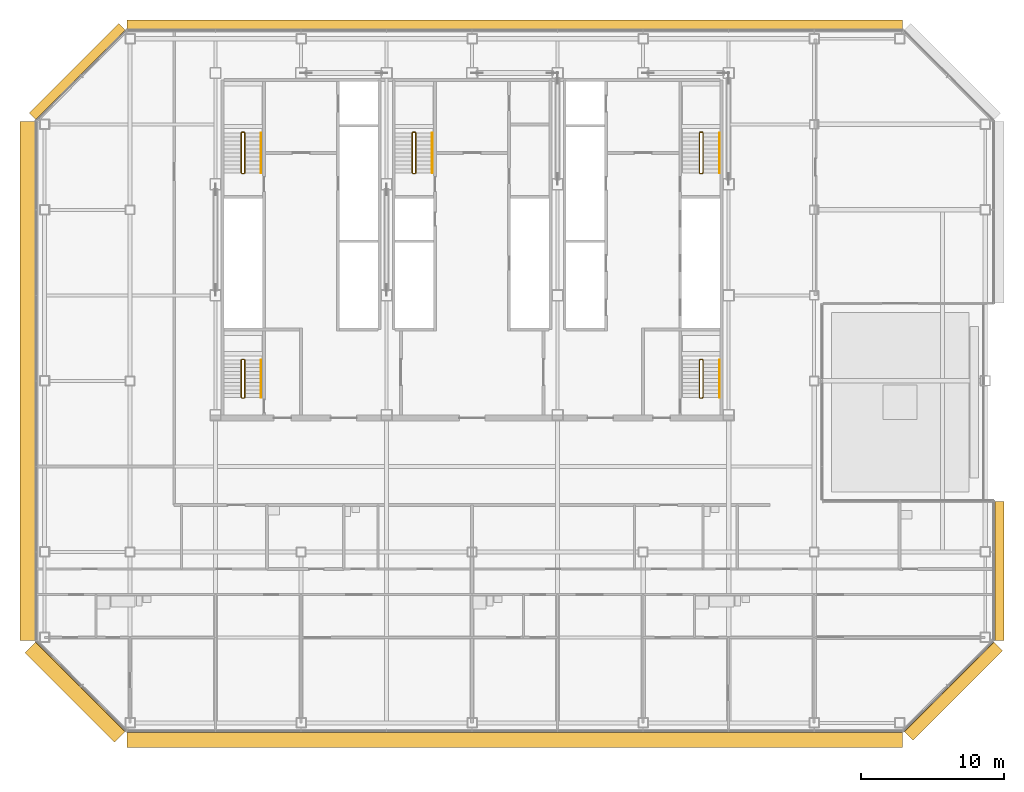
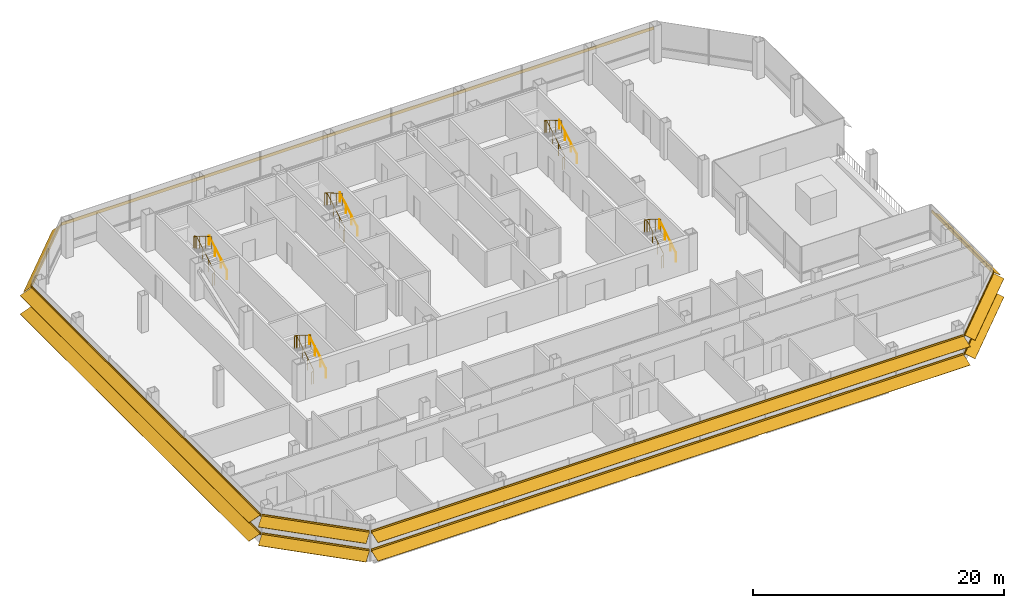
# One storey, part 24 of 27: 10 railings, 7 shading devices.
"""IFC4 building model written with IfcOpenShell, lengths in metres."""

from ifc_helpers import new_model, si_unit, direction, frame, origin, origin_2d, place, context, subcontext, project, spatial, polyline, circle, outline, composite_profile, extrude, material, type_object, element, save


model = new_model("IFC4")

# Units and contexts
model_context = context("Model", 3, precision=1e-05, world=origin(), true_north=direction((0.0, 1.0)))
body_context = subcontext(model_context, "Body", "Model", "MODEL_VIEW")
ifc_project = project(units=[si_unit("LENGTHUNIT", "METRE"), si_unit("AREAUNIT", "SQUARE_METRE"), si_unit("VOLUMEUNIT", "CUBIC_METRE"), si_unit("PLANEANGLEUNIT", "RADIAN"), si_unit("MASSUNIT", "GRAM", prefix="KILO")], contexts=[model_context])

# Site, building, storey
site_placement = place(None, origin())
site = spatial("IfcSite", under=ifc_project, at=site_placement, CompositionType="ELEMENT")
building_placement = place(site_placement, origin())
building = spatial("IfcBuilding", under=site, at=building_placement, Name="Sorahane Residences", CompositionType="ELEMENT")
storey_placement = place(building_placement, frame((0.0, 0.0, 167.199951171875)))
storey = spatial("IfcBuildingStorey", under=building, at=storey_placement, Name="L38", CompositionType="ELEMENT", Elevation=167.199951171875)

# Shading devices
ifc_material_1 = material(Name="Terracotta anodised aluminium", Category="masonry")
shading_device_type_1 = type_object("IfcShadingDeviceType", Name="Louvre sunshade blade E terracotta aluminium 700", PredefinedType="JALOUSIE", material=ifc_material_1)
shading_device_1_placement = place(storey_placement, frame((60.60009765625, 5.801513671875, 2.699951171875), z_axis=(0.0, 1.0, 0.0), x_axis=(-1.0, 0.0, 0.0)))
element("IfcShadingDevice", 1, at=shading_device_1_placement, inside=storey, type_object=shading_device_type_1, Name="Louvre sunshade blade bank E L38 E1", PredefinedType="JALOUSIE", context=body_context, shape_type="SweptSolid", body=[
    extrude(outline(polyline([(-0.719970703125, -0.49365234375), (-0.719970703125, -0.523681640625), (-0.080078125, -0.05859375), (-0.080078125, -0.14990234375), (-0.02001953125, -0.14990234375), (-0.02001953125, -0.014892578125), (-0.02001953125, 0.014892578125), (-0.02001953125, 0.14990234375), (-0.080078125, 0.14990234375), (-0.080078125, -0.028564453125), (-0.719970703125, -0.49365234375)])), origin(), (0.0, 0.0, 1.0), 9.74853515625),
])
ifc_material_2 = material(Name="Terracotta anodised aluminium", Category="masonry")
shading_device_type_2 = type_object("IfcShadingDeviceType", Name="Louvre sunshade blade N terracotta aluminium 700", PredefinedType="JALOUSIE", material=ifc_material_2)
shading_device_2_placement = place(storey_placement, frame((54.198486328125, 48.60009765625, 2.699951171875), z_axis=(-1.0, 0.0, 0.0), x_axis=(0.0, -1.0, 0.0)))
element("IfcShadingDevice", 2, at=shading_device_2_placement, inside=storey, type_object=shading_device_type_2, Name="Louvre sunshade blade bank N L38 N2", PredefinedType="JALOUSIE", context=body_context, shape_type="SweptSolid", body=[
    extrude(outline(polyline([(-0.719970703125, -0.660888671875), (-0.719970703125, -0.69091796875), (-0.080078125, -0.072998046875), (-0.080078125, -0.14990234375), (-0.02001953125, -0.14990234375), (-0.02001953125, -0.014892578125), (-0.02001953125, 0.014892578125), (-0.02001953125, 0.14990234375), (-0.080078125, 0.14990234375), (-0.080078125, -0.04296875), (-0.719970703125, -0.660888671875)])), origin(), (0.0, 0.0, 1.0), 54.39697265625),
])
ifc_material_3 = material(Name="Terracotta anodised aluminium", Category="masonry")
shading_device_type_3 = type_object("IfcShadingDeviceType", Name="Louvre sunshade blade NW terracotta aluminium 700", PredefinedType="JALOUSIE", material=ifc_material_3)
shading_device_3_placement = place(storey_placement, frame((-0.283935546875, 48.564697265625, 2.699951171875), z_axis=(-0.707106781187, -0.707106781187, 0.0), x_axis=(0.707106781187, -0.707106781187, 0.0)))
element("IfcShadingDevice", 3, at=shading_device_3_placement, inside=storey, type_object=shading_device_type_3, Name="Louvre sunshade blade bank NW L38 NW1", PredefinedType="JALOUSIE", context=body_context, shape_type="SweptSolid", body=[
    extrude(outline(polyline([(-0.719970703125, -0.660888671875), (-0.719970703125, -0.69091796875), (-0.080078125, -0.072998046875), (-0.080078125, -0.14990234375), (-0.02001953125, -0.14990234375), (-0.02001953125, -0.014892578125), (-0.02001953125, 0.014892578125), (-0.02001953125, 0.14990234375), (-0.080078125, 0.14990234375), (-0.080078125, -0.04296875), (-0.719970703125, -0.660888671875)])), origin(), (0.0, 0.0, 1.0), 8.88232421875),
])
ifc_material_4 = material(Name="Terracotta anodised aluminium", Category="masonry")
shading_device_type_4 = type_object("IfcShadingDeviceType", Name="Louvre sunshade blade S terracotta aluminium 1100", PredefinedType="JALOUSIE", material=ifc_material_4)
shading_device_4_placement = place(storey_placement, frame((-0.198486328125, -0.60009765625, 0.900146484375), z_axis=(1.0, 0.0, 0.0), x_axis=(0.0, 1.0, 0.0)))
element("IfcShadingDevice", 4, at=shading_device_4_placement, inside=storey, type_object=shading_device_type_4, Name="Louvre sunshade blade bank S L38 S2", PredefinedType="JALOUSIE", context=body_context, shape_type="SweptSolid", body=[
    extrude(composite_profile([outline(polyline([(-1.1201171875, -0.385498046875), (-1.1201171875, -0.415283203125), (-0.080078125, -0.036865234375), (-0.080078125, -0.14990234375), (-0.02001953125, -0.14990234375), (-0.02001953125, -0.014892578125), (-0.02001953125, 0.014892578125), (-0.02001953125, 0.14990234375), (-0.080078125, 0.14990234375), (-0.080078125, -0.0068359375), (-1.1201171875, -0.385498046875)])), outline(polyline([(-1.1201171875, 1.41455078125), (-1.1201171875, 1.384521484375), (-0.080078125, 1.76318359375), (-0.080078125, 1.64990234375), (-0.02001953125, 1.64990234375), (-0.02001953125, 1.784912109375), (-0.02001953125, 1.81494140625), (-0.02001953125, 1.949951171875), (-0.080078125, 1.949951171875), (-0.080078125, 1.793212890625), (-1.1201171875, 1.41455078125)]))]), origin(), (0.0, 0.0, 1.0), 54.39697265625),
])
ifc_material_5 = material(Name="Terracotta anodised aluminium", Category="masonry")
shading_device_type_5 = type_object("IfcShadingDeviceType", Name="Louvre sunshade blade SE terracotta aluminium 900", PredefinedType="JALOUSIE", material=ifc_material_5)
shading_device_5_placement = place(storey_placement, frame((54.283935546875, -0.564697265625, 0.900146484375), z_axis=(0.707106781187, 0.707106781187, 0.0), x_axis=(-0.707106781187, 0.707106781187, 0.0)))
element("IfcShadingDevice", 5, at=shading_device_5_placement, inside=storey, type_object=shading_device_type_5, Name="Louvre sunshade blade bank SE L38 SE1", PredefinedType="JALOUSIE", context=body_context, shape_type="SweptSolid", body=[
    extrude(composite_profile([outline(polyline([(-0.919921875, -0.3486328125), (-0.919921875, -0.378662109375), (-0.080078125, -0.039306640625), (-0.080078125, -0.14990234375), (-0.02001953125, -0.14990234375), (-0.02001953125, -0.014892578125), (-0.02001953125, 0.014892578125), (-0.02001953125, 0.14990234375), (-0.080078125, 0.14990234375), (-0.080078125, -0.00927734375), (-0.919921875, -0.3486328125)])), outline(polyline([(-0.919921875, 1.451416015625), (-0.919921875, 1.42138671875), (-0.080078125, 1.7607421875), (-0.080078125, 1.64990234375), (-0.02001953125, 1.64990234375), (-0.02001953125, 1.784912109375), (-0.02001953125, 1.81494140625), (-0.02001953125, 1.949951171875), (-0.080078125, 1.949951171875), (-0.080078125, 1.790771484375), (-0.919921875, 1.451416015625)]))]), origin(), (0.0, 0.0, 1.0), 8.88232421875),
])
ifc_material_6 = material(Name="Terracotta anodised aluminium", Category="masonry")
shading_device_type_6 = type_object("IfcShadingDeviceType", Name="Louvre sunshade blade SW terracotta aluminium 1100", PredefinedType="JALOUSIE", material=ifc_material_6)
shading_device_6_placement = place(storey_placement, frame((-6.564697265625, 5.716064453125, 0.900146484375), z_axis=(0.707106781187, -0.707106781187, 0.0), x_axis=(0.707106781187, 0.707106781187, 0.0)))
element("IfcShadingDevice", 6, at=shading_device_6_placement, inside=storey, type_object=shading_device_type_6, Name="Louvre sunshade blade bank SW L38 SW1", PredefinedType="JALOUSIE", context=body_context, shape_type="SweptSolid", body=[
    extrude(composite_profile([outline(polyline([(-1.1201171875, -0.385498046875), (-1.1201171875, -0.415283203125), (-0.080078125, -0.036865234375), (-0.080078125, -0.14990234375), (-0.02001953125, -0.14990234375), (-0.02001953125, -0.014892578125), (-0.02001953125, 0.014892578125), (-0.02001953125, 0.14990234375), (-0.080078125, 0.14990234375), (-0.080078125, -0.0068359375), (-1.1201171875, -0.385498046875)])), outline(polyline([(-1.1201171875, 1.41455078125), (-1.1201171875, 1.384521484375), (-0.080078125, 1.76318359375), (-0.080078125, 1.64990234375), (-0.02001953125, 1.64990234375), (-0.02001953125, 1.784912109375), (-0.02001953125, 1.81494140625), (-0.02001953125, 1.949951171875), (-0.080078125, 1.949951171875), (-0.080078125, 1.793212890625), (-1.1201171875, 1.41455078125)]))]), origin(), (0.0, 0.0, 1.0), 8.88232421875),
])
ifc_material_7 = material(Name="Terracotta anodised aluminium", Category="masonry")
shading_device_type_7 = type_object("IfcShadingDeviceType", Name="Louvre sunshade blade W terracotta aluminium 1100", PredefinedType="JALOUSIE", material=ifc_material_7)
shading_device_7_placement = place(storey_placement, frame((-6.60009765625, 42.198486328125, 0.900146484375), z_axis=(0.0, -1.0, 0.0), x_axis=(1.0, 0.0, 0.0)))
element("IfcShadingDevice", 7, at=shading_device_7_placement, inside=storey, type_object=shading_device_type_7, Name="Louvre sunshade blade bank W L38 W1", PredefinedType="JALOUSIE", context=body_context, shape_type="SweptSolid", body=[
    extrude(composite_profile([outline(polyline([(-1.1201171875, -0.385498046875), (-1.1201171875, -0.415283203125), (-0.080078125, -0.036865234375), (-0.080078125, -0.14990234375), (-0.02001953125, -0.14990234375), (-0.02001953125, -0.014892578125), (-0.02001953125, 0.014892578125), (-0.02001953125, 0.14990234375), (-0.080078125, 0.14990234375), (-0.080078125, -0.0068359375), (-1.1201171875, -0.385498046875)])), outline(polyline([(-1.1201171875, 1.41455078125), (-1.1201171875, 1.384521484375), (-0.080078125, 1.76318359375), (-0.080078125, 1.64990234375), (-0.02001953125, 1.64990234375), (-0.02001953125, 1.784912109375), (-0.02001953125, 1.81494140625), (-0.02001953125, 1.949951171875), (-0.080078125, 1.949951171875), (-0.080078125, 1.793212890625), (-1.1201171875, 1.41455078125)]))]), origin(), (0.0, 0.0, 1.0), 36.39697265625),
])

# Railings
ifc_material_8 = material(Name="Steel Q355B", Category="steel")
railing_type_1 = type_object("IfcRailingType", Name="Stair guard 1200 Steel Q355B", PredefinedType="GUARDRAIL", material=ifc_material_8)
railing_1_placement = place(storey_placement, frame((7.85009765625, 38.550048828125, 0.0)))
element("IfcRailing", 8, at=railing_1_placement, inside=storey, type_object=railing_type_1, Name="L38 S1 stair guard 1", PredefinedType="GUARDRAIL", context=body_context, shape_type="SweptSolid", body=[
    extrude(circle(Radius=0.02392578125, at=origin_2d()), frame((0.0, 0.0, 1.17578125), z_axis=(1.0, 0.0, 0.0), x_axis=(0.0, 1.0, 0.0)), (0.0, 0.0, 1.0), 0.14990234375),
    extrude(circle(Radius=0.02392578125, at=origin_2d()), frame((0.14990234375, 0.0, 1.17578125), z_axis=(0.280808744504, 0.280808744504, 0.917765164963), x_axis=(-0.707106781187, 0.707106781187, 0.0)), (0.0, 0.0, 1.0), 0.17822265625),
    extrude(circle(Radius=0.02392578125, at=origin_2d()), frame((0.199951171875, 0.050048828125, 1.33935546875), z_axis=(0.0, 0.863341702679, 0.504619762213), x_axis=(-1.0, 0.0, 0.0)), (0.0, 0.0, 1.0), 3.242919921875),
    extrude(circle(Radius=0.02392578125, at=origin_2d()), frame((0.199951171875, 2.849853515625, 2.97607421875), z_axis=(-0.707106781187, 0.707106781187, 0.0), x_axis=(-0.707106781187, -0.707106781187, 0.0)), (0.0, 0.0, 1.0), 0.07080078125),
    extrude(circle(Radius=0.02392578125, at=origin_2d()), frame((0.14990234375, 2.89990234375, 2.97607421875), z_axis=(-1.0, 0.0, 0.0), x_axis=(0.0, -1.0, 0.0)), (0.0, 0.0, 1.0), 0.14990234375),
    extrude(circle(Radius=0.02392578125, at=origin_2d()), frame((0.0, 2.89990234375, 2.97607421875), z_axis=(-0.280808744504, -0.280808744504, 0.917765164963), x_axis=(0.707106781187, -0.707106781187, 0.0)), (0.0, 0.0, 1.0), 0.17822265625),
    extrude(circle(Radius=0.02392578125, at=origin_2d()), frame((-0.050048828125, 2.849853515625, 3.1396484375), z_axis=(0.0, -0.863341702679, 0.504619762213), x_axis=(1.0, 0.0, 0.0)), (0.0, 0.0, 1.0), 3.242919921875),
    extrude(circle(Radius=0.02099609375, at=origin_2d()), origin(), (0.0, 0.0, 1.0), 1.15185546875),
    extrude(circle(Radius=0.02099609375, at=origin_2d()), frame((0.14990234375, 0.0, 0.0)), (0.0, 0.0, 1.0), 1.15185546875),
    extrude(circle(Radius=0.02099609375, at=origin_2d()), frame((0.199951171875, 0.050048828125, 0.16357421875)), (0.0, 0.0, 1.0), 1.15185546875),
    extrude(circle(Radius=0.02099609375, at=origin_2d()), frame((0.199951171875, 0.9833984375, 0.708984375)), (0.0, 0.0, 1.0), 1.15185546875),
    extrude(circle(Radius=0.02099609375, at=origin_2d()), frame((0.199951171875, 1.91650390625, 1.254638671875)), (0.0, 0.0, 1.0), 1.15185546875),
    extrude(circle(Radius=0.02099609375, at=origin_2d()), frame((0.199951171875, 2.849853515625, 1.800048828125)), (0.0, 0.0, 1.0), 1.15185546875),
    extrude(circle(Radius=0.02099609375, at=origin_2d()), frame((0.14990234375, 2.89990234375, 1.800048828125)), (0.0, 0.0, 1.0), 1.15185546875),
    extrude(circle(Radius=0.02099609375, at=origin_2d()), frame((0.0, 2.89990234375, 1.800048828125)), (0.0, 0.0, 1.0), 1.15185546875),
    extrude(circle(Radius=0.02099609375, at=origin_2d()), frame((-0.050048828125, 2.849853515625, 1.963623046875)), (0.0, 0.0, 1.0), 1.15185546875),
    extrude(circle(Radius=0.02099609375, at=origin_2d()), frame((-0.050048828125, 1.91650390625, 2.509033203125)), (0.0, 0.0, 1.0), 1.15185546875),
    extrude(circle(Radius=0.02099609375, at=origin_2d()), frame((-0.050048828125, 0.9833984375, 3.0546875)), (0.0, 0.0, 1.0), 1.15185546875),
    extrude(circle(Radius=0.02099609375, at=origin_2d()), frame((-0.050048828125, 0.050048828125, 3.60009765625)), (0.0, 0.0, 1.0), 1.15185546875),
])
railing_2_placement = place(storey_placement, frame((40.0, 38.550048828125, 0.0)))
element("IfcRailing", 9, at=railing_2_placement, inside=storey, type_object=railing_type_1, Name="L38 S2 stair guard 1", PredefinedType="GUARDRAIL", context=body_context, shape_type="SweptSolid", body=[
    extrude(circle(Radius=0.02392578125, at=origin_2d()), frame((0.0, 0.0, 1.17578125), z_axis=(1.0, 0.0, 0.0), x_axis=(0.0, 1.0, 0.0)), (0.0, 0.0, 1.0), 0.14990234375),
    extrude(circle(Radius=0.02392578125, at=origin_2d()), frame((0.14990234375, 0.0, 1.17578125), z_axis=(0.280808744504, 0.280808744504, 0.917765164963), x_axis=(-0.707106781187, 0.707106781187, 0.0)), (0.0, 0.0, 1.0), 0.17822265625),
    extrude(circle(Radius=0.02392578125, at=origin_2d()), frame((0.199951171875, 0.050048828125, 1.33935546875), z_axis=(0.0, 0.863341702679, 0.504619762213), x_axis=(-1.0, 0.0, 0.0)), (0.0, 0.0, 1.0), 3.242919921875),
    extrude(circle(Radius=0.02392578125, at=origin_2d()), frame((0.199951171875, 2.849853515625, 2.97607421875), z_axis=(-0.707106781187, 0.707106781187, 0.0), x_axis=(-0.707106781187, -0.707106781187, 0.0)), (0.0, 0.0, 1.0), 0.07080078125),
    extrude(circle(Radius=0.02392578125, at=origin_2d()), frame((0.14990234375, 2.89990234375, 2.97607421875), z_axis=(-1.0, 0.0, 0.0), x_axis=(0.0, -1.0, 0.0)), (0.0, 0.0, 1.0), 0.14990234375),
    extrude(circle(Radius=0.02392578125, at=origin_2d()), frame((0.0, 2.89990234375, 2.97607421875), z_axis=(-0.280808744504, -0.280808744504, 0.917765164963), x_axis=(0.707106781187, -0.707106781187, 0.0)), (0.0, 0.0, 1.0), 0.17822265625),
    extrude(circle(Radius=0.02392578125, at=origin_2d()), frame((-0.050048828125, 2.849853515625, 3.1396484375), z_axis=(0.0, -0.863341702679, 0.504619762213), x_axis=(1.0, 0.0, 0.0)), (0.0, 0.0, 1.0), 3.242919921875),
    extrude(circle(Radius=0.02099609375, at=origin_2d()), origin(), (0.0, 0.0, 1.0), 1.15185546875),
    extrude(circle(Radius=0.02099609375, at=origin_2d()), frame((0.14990234375, 0.0, 0.0)), (0.0, 0.0, 1.0), 1.15185546875),
    extrude(circle(Radius=0.02099609375, at=origin_2d()), frame((0.199951171875, 0.050048828125, 0.16357421875)), (0.0, 0.0, 1.0), 1.15185546875),
    extrude(circle(Radius=0.02099609375, at=origin_2d()), frame((0.199951171875, 0.9833984375, 0.708984375)), (0.0, 0.0, 1.0), 1.15185546875),
    extrude(circle(Radius=0.02099609375, at=origin_2d()), frame((0.199951171875, 1.91650390625, 1.254638671875)), (0.0, 0.0, 1.0), 1.15185546875),
    extrude(circle(Radius=0.02099609375, at=origin_2d()), frame((0.199951171875, 2.849853515625, 1.800048828125)), (0.0, 0.0, 1.0), 1.15185546875),
    extrude(circle(Radius=0.02099609375, at=origin_2d()), frame((0.14990234375, 2.89990234375, 1.800048828125)), (0.0, 0.0, 1.0), 1.15185546875),
    extrude(circle(Radius=0.02099609375, at=origin_2d()), frame((0.0, 2.89990234375, 1.800048828125)), (0.0, 0.0, 1.0), 1.15185546875),
    extrude(circle(Radius=0.02099609375, at=origin_2d()), frame((-0.050048828125, 2.849853515625, 1.963623046875)), (0.0, 0.0, 1.0), 1.15185546875),
    extrude(circle(Radius=0.02099609375, at=origin_2d()), frame((-0.050048828125, 1.91650390625, 2.509033203125)), (0.0, 0.0, 1.0), 1.15185546875),
    extrude(circle(Radius=0.02099609375, at=origin_2d()), frame((-0.050048828125, 0.9833984375, 3.0546875)), (0.0, 0.0, 1.0), 1.15185546875),
    extrude(circle(Radius=0.02099609375, at=origin_2d()), frame((-0.050048828125, 0.050048828125, 3.60009765625)), (0.0, 0.0, 1.0), 1.15185546875),
])
railing_3_placement = place(storey_placement, frame((19.85009765625, 38.550048828125, 0.0)))
element("IfcRailing", 10, at=railing_3_placement, inside=storey, type_object=railing_type_1, Name="L38 S3 stair guard 1", PredefinedType="GUARDRAIL", context=body_context, shape_type="SweptSolid", body=[
    extrude(circle(Radius=0.02392578125, at=origin_2d()), frame((0.0, 0.0, 1.17578125), z_axis=(1.0, 0.0, 0.0), x_axis=(0.0, 1.0, 0.0)), (0.0, 0.0, 1.0), 0.14990234375),
    extrude(circle(Radius=0.02392578125, at=origin_2d()), frame((0.14990234375, 0.0, 1.17578125), z_axis=(0.280808744504, 0.280808744504, 0.917765164963), x_axis=(-0.707106781187, 0.707106781187, 0.0)), (0.0, 0.0, 1.0), 0.17822265625),
    extrude(circle(Radius=0.02392578125, at=origin_2d()), frame((0.199951171875, 0.050048828125, 1.33935546875), z_axis=(0.0, 0.863341702679, 0.504619762213), x_axis=(-1.0, 0.0, 0.0)), (0.0, 0.0, 1.0), 3.242919921875),
    extrude(circle(Radius=0.02392578125, at=origin_2d()), frame((0.199951171875, 2.849853515625, 2.97607421875), z_axis=(-0.707106781187, 0.707106781187, 0.0), x_axis=(-0.707106781187, -0.707106781187, 0.0)), (0.0, 0.0, 1.0), 0.07080078125),
    extrude(circle(Radius=0.02392578125, at=origin_2d()), frame((0.14990234375, 2.89990234375, 2.97607421875), z_axis=(-1.0, 0.0, 0.0), x_axis=(0.0, -1.0, 0.0)), (0.0, 0.0, 1.0), 0.14990234375),
    extrude(circle(Radius=0.02392578125, at=origin_2d()), frame((0.0, 2.89990234375, 2.97607421875), z_axis=(-0.280808744504, -0.280808744504, 0.917765164963), x_axis=(0.707106781187, -0.707106781187, 0.0)), (0.0, 0.0, 1.0), 0.17822265625),
    extrude(circle(Radius=0.02392578125, at=origin_2d()), frame((-0.050048828125, 2.849853515625, 3.1396484375), z_axis=(0.0, -0.863341702679, 0.504619762213), x_axis=(1.0, 0.0, 0.0)), (0.0, 0.0, 1.0), 3.242919921875),
    extrude(circle(Radius=0.02099609375, at=origin_2d()), origin(), (0.0, 0.0, 1.0), 1.15185546875),
    extrude(circle(Radius=0.02099609375, at=origin_2d()), frame((0.14990234375, 0.0, 0.0)), (0.0, 0.0, 1.0), 1.15185546875),
    extrude(circle(Radius=0.02099609375, at=origin_2d()), frame((0.199951171875, 0.050048828125, 0.16357421875)), (0.0, 0.0, 1.0), 1.15185546875),
    extrude(circle(Radius=0.02099609375, at=origin_2d()), frame((0.199951171875, 0.9833984375, 0.708984375)), (0.0, 0.0, 1.0), 1.15185546875),
    extrude(circle(Radius=0.02099609375, at=origin_2d()), frame((0.199951171875, 1.91650390625, 1.254638671875)), (0.0, 0.0, 1.0), 1.15185546875),
    extrude(circle(Radius=0.02099609375, at=origin_2d()), frame((0.199951171875, 2.849853515625, 1.800048828125)), (0.0, 0.0, 1.0), 1.15185546875),
    extrude(circle(Radius=0.02099609375, at=origin_2d()), frame((0.14990234375, 2.89990234375, 1.800048828125)), (0.0, 0.0, 1.0), 1.15185546875),
    extrude(circle(Radius=0.02099609375, at=origin_2d()), frame((0.0, 2.89990234375, 1.800048828125)), (0.0, 0.0, 1.0), 1.15185546875),
    extrude(circle(Radius=0.02099609375, at=origin_2d()), frame((-0.050048828125, 2.849853515625, 1.963623046875)), (0.0, 0.0, 1.0), 1.15185546875),
    extrude(circle(Radius=0.02099609375, at=origin_2d()), frame((-0.050048828125, 1.91650390625, 2.509033203125)), (0.0, 0.0, 1.0), 1.15185546875),
    extrude(circle(Radius=0.02099609375, at=origin_2d()), frame((-0.050048828125, 0.9833984375, 3.0546875)), (0.0, 0.0, 1.0), 1.15185546875),
    extrude(circle(Radius=0.02099609375, at=origin_2d()), frame((-0.050048828125, 0.050048828125, 3.60009765625)), (0.0, 0.0, 1.0), 1.15185546875),
])
railing_4_placement = place(storey_placement, frame((7.85009765625, 22.800048828125, 0.0)))
element("IfcRailing", 11, at=railing_4_placement, inside=storey, type_object=railing_type_1, Name="L38 S4 stair guard 1", PredefinedType="GUARDRAIL", context=body_context, shape_type="SweptSolid", body=[
    extrude(circle(Radius=0.02392578125, at=origin_2d()), frame((0.0, 0.0, 1.17578125), z_axis=(1.0, 0.0, 0.0), x_axis=(0.0, 1.0, 0.0)), (0.0, 0.0, 1.0), 0.14990234375),
    extrude(circle(Radius=0.02392578125, at=origin_2d()), frame((0.14990234375, 0.0, 1.17578125), z_axis=(0.280808744504, 0.280808744504, 0.917765164963), x_axis=(-0.707106781187, 0.707106781187, 0.0)), (0.0, 0.0, 1.0), 0.17822265625),
    extrude(circle(Radius=0.02392578125, at=origin_2d()), frame((0.199951171875, 0.050048828125, 1.33935546875), z_axis=(0.0, 0.846301844409, 0.532703658848), x_axis=(-1.0, 0.0, 0.0)), (0.0, 0.0, 1.0), 3.072021484375),
    extrude(circle(Radius=0.02392578125, at=origin_2d()), frame((0.199951171875, 2.64990234375, 2.97607421875), z_axis=(-0.707106781187, 0.707106781187, 0.0), x_axis=(-0.707106781187, -0.707106781187, 0.0)), (0.0, 0.0, 1.0), 0.07080078125),
    extrude(circle(Radius=0.02392578125, at=origin_2d()), frame((0.14990234375, 2.699951171875, 2.97607421875), z_axis=(-1.0, 0.0, 0.0), x_axis=(0.0, -1.0, 0.0)), (0.0, 0.0, 1.0), 0.14990234375),
    extrude(circle(Radius=0.02392578125, at=origin_2d()), frame((0.0, 2.699951171875, 2.97607421875), z_axis=(-0.280808744504, -0.280808744504, 0.917765164963), x_axis=(0.707106781187, -0.707106781187, 0.0)), (0.0, 0.0, 1.0), 0.17822265625),
    extrude(circle(Radius=0.02392578125, at=origin_2d()), frame((-0.050048828125, 2.64990234375, 3.1396484375), z_axis=(0.0, -0.846301844409, 0.532703658848), x_axis=(1.0, 0.0, 0.0)), (0.0, 0.0, 1.0), 3.072021484375),
    extrude(circle(Radius=0.02099609375, at=origin_2d()), origin(), (0.0, 0.0, 1.0), 1.15185546875),
    extrude(circle(Radius=0.02099609375, at=origin_2d()), frame((0.14990234375, 0.0, 0.0)), (0.0, 0.0, 1.0), 1.15185546875),
    extrude(circle(Radius=0.02099609375, at=origin_2d()), frame((0.199951171875, 0.050048828125, 0.16357421875)), (0.0, 0.0, 1.0), 1.15185546875),
    extrude(circle(Radius=0.02099609375, at=origin_2d()), frame((0.199951171875, 0.916748046875, 0.708984375)), (0.0, 0.0, 1.0), 1.15185546875),
    extrude(circle(Radius=0.02099609375, at=origin_2d()), frame((0.199951171875, 1.783203125, 1.254638671875)), (0.0, 0.0, 1.0), 1.15185546875),
    extrude(circle(Radius=0.02099609375, at=origin_2d()), frame((0.199951171875, 2.64990234375, 1.800048828125)), (0.0, 0.0, 1.0), 1.15185546875),
    extrude(circle(Radius=0.02099609375, at=origin_2d()), frame((0.14990234375, 2.699951171875, 1.800048828125)), (0.0, 0.0, 1.0), 1.15185546875),
    extrude(circle(Radius=0.02099609375, at=origin_2d()), frame((0.0, 2.699951171875, 1.800048828125)), (0.0, 0.0, 1.0), 1.15185546875),
    extrude(circle(Radius=0.02099609375, at=origin_2d()), frame((-0.050048828125, 2.64990234375, 1.963623046875)), (0.0, 0.0, 1.0), 1.15185546875),
    extrude(circle(Radius=0.02099609375, at=origin_2d()), frame((-0.050048828125, 1.783203125, 2.509033203125)), (0.0, 0.0, 1.0), 1.15185546875),
    extrude(circle(Radius=0.02099609375, at=origin_2d()), frame((-0.050048828125, 0.916748046875, 3.0546875)), (0.0, 0.0, 1.0), 1.15185546875),
    extrude(circle(Radius=0.02099609375, at=origin_2d()), frame((-0.050048828125, 0.050048828125, 3.60009765625)), (0.0, 0.0, 1.0), 1.15185546875),
])
railing_5_placement = place(storey_placement, frame((40.0, 22.800048828125, 0.0)))
element("IfcRailing", 12, at=railing_5_placement, inside=storey, type_object=railing_type_1, Name="L38 S5 stair guard 1", PredefinedType="GUARDRAIL", context=body_context, shape_type="SweptSolid", body=[
    extrude(circle(Radius=0.02392578125, at=origin_2d()), frame((0.0, 0.0, 1.17578125), z_axis=(1.0, 0.0, 0.0), x_axis=(0.0, 1.0, 0.0)), (0.0, 0.0, 1.0), 0.14990234375),
    extrude(circle(Radius=0.02392578125, at=origin_2d()), frame((0.14990234375, 0.0, 1.17578125), z_axis=(0.280808744504, 0.280808744504, 0.917765164963), x_axis=(-0.707106781187, 0.707106781187, 0.0)), (0.0, 0.0, 1.0), 0.17822265625),
    extrude(circle(Radius=0.02392578125, at=origin_2d()), frame((0.199951171875, 0.050048828125, 1.33935546875), z_axis=(0.0, 0.846301844409, 0.532703658848), x_axis=(-1.0, 0.0, 0.0)), (0.0, 0.0, 1.0), 3.072021484375),
    extrude(circle(Radius=0.02392578125, at=origin_2d()), frame((0.199951171875, 2.64990234375, 2.97607421875), z_axis=(-0.707106781187, 0.707106781187, 0.0), x_axis=(-0.707106781187, -0.707106781187, 0.0)), (0.0, 0.0, 1.0), 0.07080078125),
    extrude(circle(Radius=0.02392578125, at=origin_2d()), frame((0.14990234375, 2.699951171875, 2.97607421875), z_axis=(-1.0, 0.0, 0.0), x_axis=(0.0, -1.0, 0.0)), (0.0, 0.0, 1.0), 0.14990234375),
    extrude(circle(Radius=0.02392578125, at=origin_2d()), frame((0.0, 2.699951171875, 2.97607421875), z_axis=(-0.280808744504, -0.280808744504, 0.917765164963), x_axis=(0.707106781187, -0.707106781187, 0.0)), (0.0, 0.0, 1.0), 0.17822265625),
    extrude(circle(Radius=0.02392578125, at=origin_2d()), frame((-0.050048828125, 2.64990234375, 3.1396484375), z_axis=(0.0, -0.846301844409, 0.532703658848), x_axis=(1.0, 0.0, 0.0)), (0.0, 0.0, 1.0), 3.072021484375),
    extrude(circle(Radius=0.02099609375, at=origin_2d()), origin(), (0.0, 0.0, 1.0), 1.15185546875),
    extrude(circle(Radius=0.02099609375, at=origin_2d()), frame((0.14990234375, 0.0, 0.0)), (0.0, 0.0, 1.0), 1.15185546875),
    extrude(circle(Radius=0.02099609375, at=origin_2d()), frame((0.199951171875, 0.050048828125, 0.16357421875)), (0.0, 0.0, 1.0), 1.15185546875),
    extrude(circle(Radius=0.02099609375, at=origin_2d()), frame((0.199951171875, 0.916748046875, 0.708984375)), (0.0, 0.0, 1.0), 1.15185546875),
    extrude(circle(Radius=0.02099609375, at=origin_2d()), frame((0.199951171875, 1.783203125, 1.254638671875)), (0.0, 0.0, 1.0), 1.15185546875),
    extrude(circle(Radius=0.02099609375, at=origin_2d()), frame((0.199951171875, 2.64990234375, 1.800048828125)), (0.0, 0.0, 1.0), 1.15185546875),
    extrude(circle(Radius=0.02099609375, at=origin_2d()), frame((0.14990234375, 2.699951171875, 1.800048828125)), (0.0, 0.0, 1.0), 1.15185546875),
    extrude(circle(Radius=0.02099609375, at=origin_2d()), frame((0.0, 2.699951171875, 1.800048828125)), (0.0, 0.0, 1.0), 1.15185546875),
    extrude(circle(Radius=0.02099609375, at=origin_2d()), frame((-0.050048828125, 2.64990234375, 1.963623046875)), (0.0, 0.0, 1.0), 1.15185546875),
    extrude(circle(Radius=0.02099609375, at=origin_2d()), frame((-0.050048828125, 1.783203125, 2.509033203125)), (0.0, 0.0, 1.0), 1.15185546875),
    extrude(circle(Radius=0.02099609375, at=origin_2d()), frame((-0.050048828125, 0.916748046875, 3.0546875)), (0.0, 0.0, 1.0), 1.15185546875),
    extrude(circle(Radius=0.02099609375, at=origin_2d()), frame((-0.050048828125, 0.050048828125, 3.60009765625)), (0.0, 0.0, 1.0), 1.15185546875),
])
ifc_material_9 = material(Name="Steel Q355B", Category="steel")
railing_type_2 = type_object("IfcRailingType", Name="Stair handrail 900 Steel Q355B", PredefinedType="HANDRAIL", material=ifc_material_9)
for number, where, name in (
    (13, (9.199951171875, 38.60009765625, 0.16357421875), "L38 S1 stair handrail 1"),
    (14, (41.35009765625, 38.60009765625, 0.16357421875), "L38 S2 stair handrail 1"),
    (15, (21.199951171875, 38.60009765625, 0.16357421875), "L38 S3 stair handrail 1"),
):
    element("IfcRailing", number, at=place(storey_placement, frame(where)), inside=storey, type_object=railing_type_2, Name=name, PredefinedType="HANDRAIL", context=body_context, shape_type="SweptSolid", body=[
        extrude(circle(Radius=0.02392578125, at=origin_2d()), frame((0.0, 0.0, 0.8759765625), z_axis=(0.0, 0.863341702679, 0.504619762213), x_axis=(-1.0, 0.0, 0.0)), (0.0, 0.0, 1.0), 3.242919921875),
        extrude(circle(Radius=0.02099609375, at=origin_2d()), origin(), (0.0, 0.0, 1.0), 0.851806640625),
        extrude(circle(Radius=0.02099609375, at=origin_2d()), frame((0.0, 0.933349609375, 0.54541015625)), (0.0, 0.0, 1.0), 0.851806640625),
        extrude(circle(Radius=0.02099609375, at=origin_2d()), frame((0.0, 1.866455078125, 1.091064453125)), (0.0, 0.0, 1.0), 0.851806640625),
        extrude(circle(Radius=0.02099609375, at=origin_2d()), frame((0.0, 2.7998046875, 1.636474609375)), (0.0, 0.0, 1.0), 0.851806640625),
    ])
for number, where, name in (
    (16, (9.199951171875, 22.85009765625, 0.16357421875), "L38 S4 stair handrail 1"),
    (17, (41.35009765625, 22.85009765625, 0.16357421875), "L38 S5 stair handrail 1"),
):
    element("IfcRailing", number, at=place(storey_placement, frame(where)), inside=storey, type_object=railing_type_2, Name=name, PredefinedType="HANDRAIL", context=body_context, shape_type="SweptSolid", body=[
        extrude(circle(Radius=0.02392578125, at=origin_2d()), frame((0.0, 0.0, 0.8759765625), z_axis=(0.0, 0.846301844409, 0.532703658848), x_axis=(-1.0, 0.0, 0.0)), (0.0, 0.0, 1.0), 3.072021484375),
        extrude(circle(Radius=0.02099609375, at=origin_2d()), origin(), (0.0, 0.0, 1.0), 0.851806640625),
        extrude(circle(Radius=0.02099609375, at=origin_2d()), frame((0.0, 0.86669921875, 0.54541015625)), (0.0, 0.0, 1.0), 0.851806640625),
        extrude(circle(Radius=0.02099609375, at=origin_2d()), frame((0.0, 1.733154296875, 1.091064453125)), (0.0, 0.0, 1.0), 0.851806640625),
        extrude(circle(Radius=0.02099609375, at=origin_2d()), frame((0.0, 2.599853515625, 1.636474609375)), (0.0, 0.0, 1.0), 0.851806640625),
    ])

save(model, "model.ifc")
